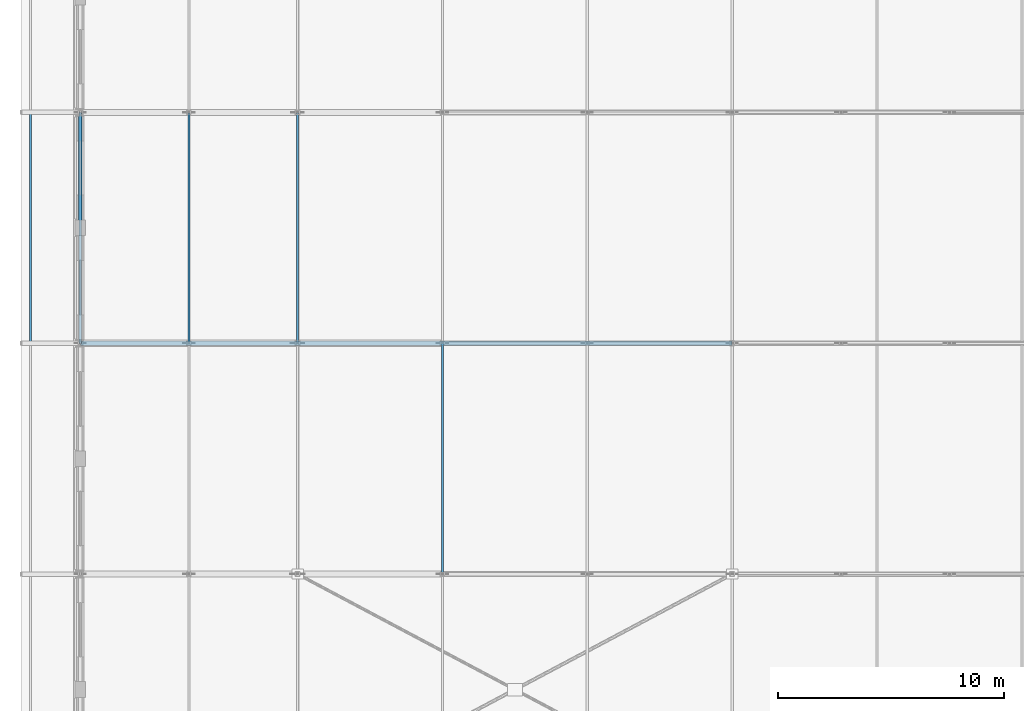
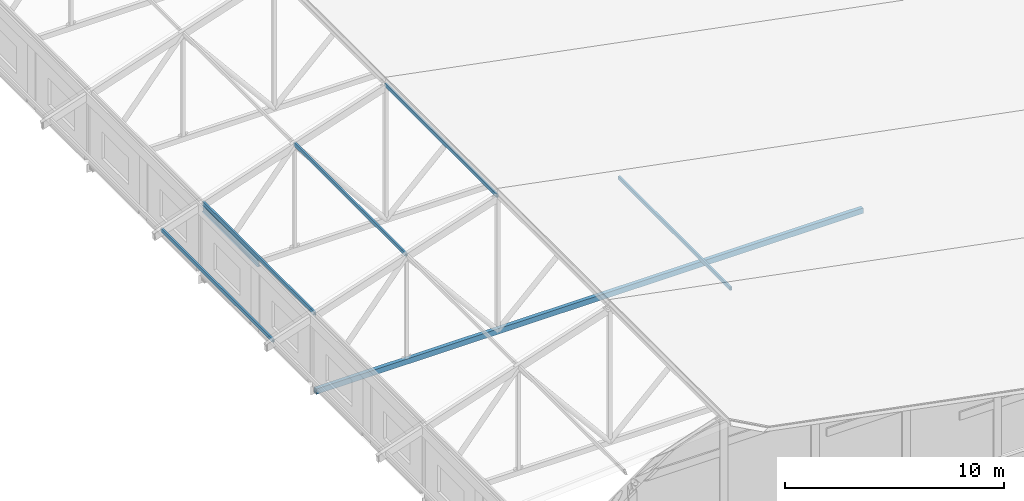
# One storey, part 44 of 200: 6 members, 1 beam.
"""IFC4 building model written with IfcOpenShell, lengths in metres."""

from ifc_helpers import new_model, si_unit, direction, frame, origin, origin_2d, place, context, subcontext, project, spatial, hollow_rectangle, i_section, extrude, material, material_profile, profile_set, type_object, element, save


model = new_model("IFC4")

# Units and contexts
model_context = context("Model", 3, precision=1e-05, world=origin(), true_north=direction((0.0, 1.0)))
body_context = subcontext(model_context, "Body", "Model", "MODEL_VIEW")
ifc_project = project(units=[si_unit("LENGTHUNIT", "METRE"), si_unit("AREAUNIT", "SQUARE_METRE"), si_unit("VOLUMEUNIT", "CUBIC_METRE"), si_unit("PLANEANGLEUNIT", "RADIAN"), si_unit("MASSUNIT", "GRAM", prefix="KILO")], contexts=[model_context])

# Site, building, storey
site_placement = place(None, origin())
site = spatial("IfcSite", under=ifc_project, at=site_placement, CompositionType="ELEMENT")
building_placement = place(site_placement, origin())
building = spatial("IfcBuilding", under=site, at=building_placement, Name="Vondelvale Polytechnic", CompositionType="ELEMENT")
storey_placement = place(building_placement, frame((0.0, 0.0, 13.800048828125)))
storey = spatial("IfcBuildingStorey", under=building, at=storey_placement, Name="L03", CompositionType="ELEMENT", Elevation=13.800048828125)

# Beam
ifc_material_1 = material(Name="Steel 300PLUS (fy = 300 MPa)", Category="steel")
ifc_material_profile_1 = material_profile(ifc_material_1, i_section(OverallWidth=0.172119140625, OverallDepth=0.35888671875, WebThickness=0.008056640625, FlangeThickness=0.012939453125, FilletRadius=0.011474609375, at=origin_2d()), Name="360UB56.7")
ifc_profile_set_1 = profile_set([ifc_material_profile_1], Name="Steel 300PLUS (fy = 300 MPa)")
beam_type = type_object("IfcBeamType", Name="BM-UB360H", PredefinedType="BEAM", material=ifc_profile_set_1)
beam_placement = place(storey_placement, frame((0.0, 76.5, 3.570556640625), z_axis=(0.0, 1.0, 0.0), x_axis=(-1.0, 0.0, 0.0)))
element("IfcBeam", 1, at=beam_placement, inside=storey, type_object=beam_type, Name="L03 WE B-15", PredefinedType="BEAM", context=body_context, shape_type="SweptSolid", body=[
    extrude(i_section(OverallWidth=0.172119140625, OverallDepth=0.35888671875, WebThickness=0.008056640625, FlangeThickness=0.012939453125, FilletRadius=0.011474609375, at=origin_2d()), origin(), (0.0, 0.0, 1.0), 5.10009765625),
])

# Members
ifc_material_2 = material(Name="Steel C350L0 (fy = 350 MPa)", Category="steel")
ifc_material_profile_2 = material_profile(ifc_material_2, hollow_rectangle(XDim=0.10009765625, YDim=0.199951171875, WallThickness=0.006103515625, at=origin_2d()), Name="200x100x6.0RHS")
ifc_profile_set_2 = profile_set([ifc_material_profile_2], Name="Steel C350L0 (fy = 350 MPa)")
member_type_1 = type_object("IfcMemberType", Name="PURLIN RHS200", PredefinedType="PURLIN", material=ifc_profile_set_2)
member_1_placement = place(storey_placement, frame((16.0, 61.199951171875, 5.847900390625), z_axis=(0.0, 1.0, 0.0), x_axis=(-1.0, 0.0, 0.0)))
element("IfcMember", 2, at=member_1_placement, inside=storey, type_object=member_type_1, Name="Workshop roof purlin bay 2", PredefinedType="PURLIN", context=body_context, shape_type="SweptSolid", body=[
    extrude(hollow_rectangle(XDim=0.10009765625, YDim=0.199951171875, WallThickness=0.006103515625, at=origin_2d()), origin(), (0.0, 0.0, 1.0), 10.199951171875),
])
for number, where, z_axis, x_axis, name in (
    (3, (-2.199951171875, 71.39990234375, 3.140869140625), (0.0, 1.0, 0.0), (-1.0, 0.0, 0.0), "Workshop roof purlin bay 3"),
    (4, (0.0, 71.39990234375, 3.874267578125), (0.0, 1.0, 0.0), (-1.0, 0.0, 0.0), "Workshop roof purlin bay 3"),
    (5, (4.800048828125, 71.39990234375, 5.47412109375), (0.0, 1.0, 0.0), (-1.0, 0.0, 0.0), "Workshop roof purlin bay 3"),
    (6, (9.60009765625, 71.39990234375, 7.07421875), (0.0, 1.0, 0.0), (-1.0, 0.0, 0.0), "Workshop roof purlin bay 3"),
):
    element("IfcMember", number, at=place(storey_placement, frame(where, z_axis=z_axis, x_axis=x_axis)), inside=storey, type_object=member_type_1, Name=name, PredefinedType="PURLIN", context=body_context, shape_type="SweptSolid", body=[
        extrude(hollow_rectangle(XDim=0.10009765625, YDim=0.199951171875, WallThickness=0.006103515625, at=origin_2d()), origin(), (0.0, 0.0, 1.0), 10.2001953125),
    ])
ifc_material_profile_3 = material_profile(ifc_material_2, hollow_rectangle(XDim=0.199951171875, YDim=0.300048828125, WallThickness=0.008056640625, at=origin_2d()), Name="300x200x8.0RHS")
ifc_profile_set_3 = profile_set([ifc_material_profile_3], Name="Steel C350L0 (fy = 350 MPa)")
member_type_2 = type_object("IfcMemberType", Name="ROOF TRUSS BOT CHORD 300RHS", PredefinedType="CHORD", material=ifc_profile_set_3)
member_2_placement = place(storey_placement, frame((0.0, 71.39990234375, -0.420166015625), z_axis=(1.0, 0.0, 0.0), x_axis=(0.0, 1.0, 0.0)))
element("IfcMember", 7, at=member_2_placement, inside=storey, type_object=member_type_2, Name="ROOF TRUSS TR-03 bottom chord 1", PredefinedType="CHORD", context=body_context, shape_type="SweptSolid", body=[
    extrude(hollow_rectangle(XDim=0.199951171875, YDim=0.300048828125, WallThickness=0.008056640625, at=origin_2d()), origin(), (0.0, 0.0, 1.0), 28.800048828125),
])

save(model, "model.ifc")
